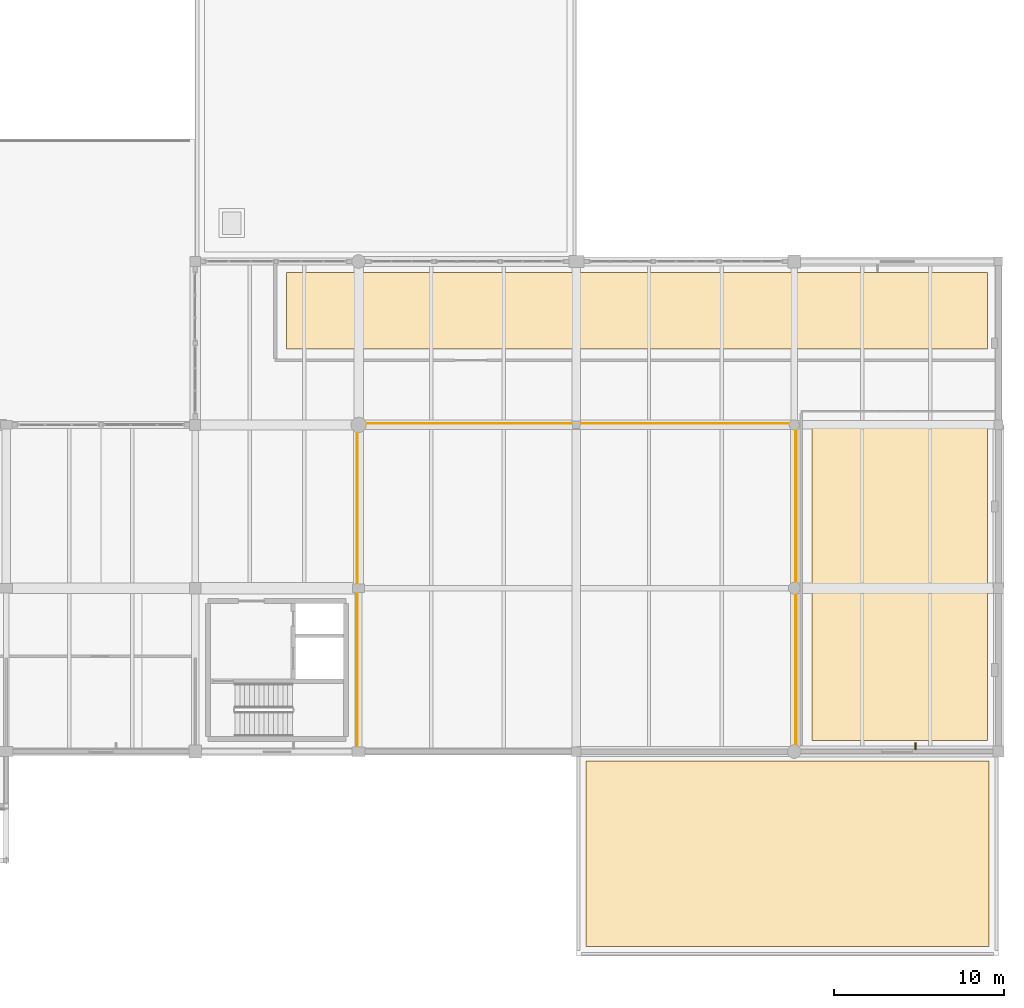
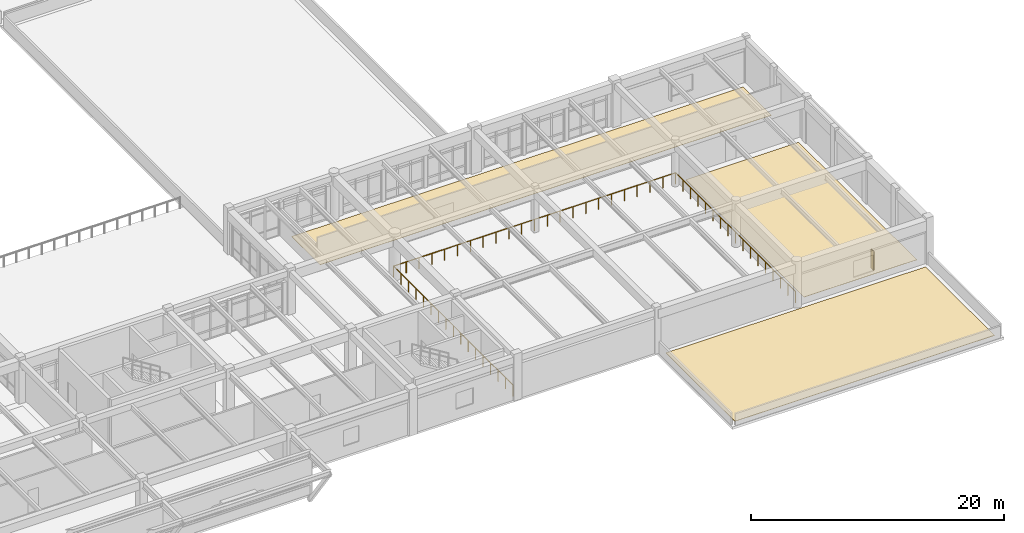
# One storey, part 108 of 109: 3 coverings, 3 railings, 1 shading device.
"""IFC4 building model written with IfcOpenShell, lengths in metres."""

import ifcopenshell
import ifcopenshell.guid

model = None  # the IFC model being written
_history = None  # IfcOwnerHistory: only IFC2X3 demands one
_inside = {}  # id of a spatial element -> (the spatial element, [elements in it])
_under = {}  # id of a project, library or spatial element -> (it, [spatial elements below it])
_declared = {}  # id of a project -> (the project, [libraries it declares])
_typed = {}  # id of a type object -> (the type object, [elements of that type])
_made_of = {}  # id of a material, layer set ... -> (it, [elements and type objects made of it])


def new_model(schema):
    """Start an empty IFC model of exactly this schema.

    Asked for "IFC4X3", IfcOpenShell would pick the latest addendum, in which some entities
    have other attributes; the version numbers below select the first issue.
    IFC2X3 requires an IfcOwnerHistory on every rooted entity: one is made here for all.
    """
    global model, _history
    if schema == "IFC4X3":
        model = ifcopenshell.file(schema_version=(4, 3, 0, 0))
    else:
        model = ifcopenshell.file(schema=schema)
    _inside.clear()
    _under.clear()
    _declared.clear()
    _typed.clear()
    _made_of.clear()
    _history = None
    if model.schema == "IFC2X3":
        org = make("IfcOrganization", Name="unknown")
        user = make(
            "IfcPersonAndOrganization",
            ThePerson=make("IfcPerson", FamilyName="unknown"),
            TheOrganization=org,
        )
        app = make(
            "IfcApplication",
            ApplicationDeveloper=org,
            Version="unknown",
            ApplicationFullName="unknown",
            ApplicationIdentifier="unknown",
        )
        _history = make(
            "IfcOwnerHistory",
            OwningUser=user,
            OwningApplication=app,
            ChangeAction="ADDED",
            CreationDate=0,
        )
    return model


def make(cls, **values):
    """One entity of the class cls with the attributes given. An attribute that is None is left unset."""
    return model.create_entity(
        cls, **{name: value for name, value in values.items() if value is not None}
    )


def rooted(cls, **values):
    """An entity with a GlobalId (a new one), such as an element, a storey or a relation."""
    return make(cls, GlobalId=ifcopenshell.guid.new(), OwnerHistory=_history, **values)


def si_unit(unit_type, name, prefix=None):
    """IfcSIUnit, for example si_unit("LENGTHUNIT", "METRE", prefix="MILLI")."""
    return make("IfcSIUnit", UnitType=unit_type, Prefix=prefix, Name=name)


def assignment(units):
    """IfcUnitAssignment: the units of a project."""
    return None if units is None else make("IfcUnitAssignment", Units=units)


def point(xyz):
    """IfcCartesianPoint."""
    return None if xyz is None else make("IfcCartesianPoint", Coordinates=xyz)


def direction(xyz):
    """IfcDirection."""
    return None if xyz is None else make("IfcDirection", DirectionRatios=xyz)


def frame(location, z_axis=None, x_axis=None):
    """IfcAxis2Placement3D, a coordinate frame: its origin and axes. An axis left out is left unset."""
    return make(
        "IfcAxis2Placement3D",
        Location=point(location),
        Axis=direction(z_axis),
        RefDirection=direction(x_axis),
    )


def frame_2d(location, x_axis=None):
    """IfcAxis2Placement2D, a coordinate frame in the plane: its origin and x axis."""
    return make(
        "IfcAxis2Placement2D", Location=point(location), RefDirection=direction(x_axis)
    )


def origin():
    """The frame at (0, 0, 0) with its axes left unset."""
    return frame((0.0, 0.0, 0.0))


def origin_2d():
    """The frame at (0, 0) in the plane with its x axis left unset."""
    return frame_2d((0.0, 0.0))


def place(relative_to, where):
    """IfcLocalPlacement: puts the frame where relative to a parent placement (None: the world)."""
    return make(
        "IfcLocalPlacement", PlacementRelTo=relative_to, RelativePlacement=where
    )


def context(
    kind, dimensions, precision=None, world=None, true_north=None, identifier=None
):
    """IfcGeometricRepresentationContext, for example the 3D "Model" context."""
    return make(
        "IfcGeometricRepresentationContext",
        ContextIdentifier=identifier,
        ContextType=kind,
        CoordinateSpaceDimension=dimensions,
        Precision=precision,
        WorldCoordinateSystem=world,
        TrueNorth=true_north,
    )


def subcontext(parent, identifier, kind, view, scale=None):
    """IfcGeometricRepresentationSubContext, for example "Body" below "Model"."""
    return make(
        "IfcGeometricRepresentationSubContext",
        ContextIdentifier=identifier,
        ContextType=kind,
        ParentContext=parent,
        TargetScale=scale,
        TargetView=view,
    )


def project(units=None, contexts=None):
    """IfcProject with its units and contexts."""
    return rooted(
        "IfcProject",
        Name="project",
        RepresentationContexts=contexts,
        UnitsInContext=assignment(units),
    )


def spatial(cls, under=None, at=None, **own):
    """A site, building, storey or space (cls), placed at a placement, below another one or the project."""
    s = rooted(cls, ObjectPlacement=at, **own)
    if under is not None:
        _under.setdefault(under.id(), (under, []))[1].append(s)
    return s


def polyline(points):
    """IfcPolyline through the points."""
    return make("IfcPolyline", Points=[point(p) for p in points])


def profile(cls, at=None, kind="AREA", **sizes):
    """A parametric profile (cls). Its sizes go by their IFC names, for example OverallWidth=200.0."""
    return make(cls, ProfileType=kind, Position=at, **sizes)


def rectangle(**sizes):
    """IfcRectangleProfileDef."""
    return profile("IfcRectangleProfileDef", **sizes)


def circle(**sizes):
    """IfcCircleProfileDef."""
    return profile("IfcCircleProfileDef", **sizes)


def outline(outer, holes=None, kind="AREA"):
    """IfcArbitraryClosedProfileDef: a profile drawn as a closed curve; with holes, ...WithVoids."""
    if holes is None:
        return make("IfcArbitraryClosedProfileDef", ProfileType=kind, OuterCurve=outer)
    return make(
        "IfcArbitraryProfileDefWithVoids",
        ProfileType=kind,
        OuterCurve=outer,
        InnerCurves=holes,
    )


def extrude(swept, where, along, depth):
    """IfcExtrudedAreaSolid: the profile swept, set in the frame where, extruded along a direction by depth."""
    return make(
        "IfcExtrudedAreaSolid",
        SweptArea=swept,
        Position=where,
        ExtrudedDirection=direction(along),
        Depth=depth,
    )


def shape(context_of_items, identifier, shape_type, items):
    """IfcShapeRepresentation: the items that make up one representation, for example the "Body"."""
    return make(
        "IfcShapeRepresentation",
        ContextOfItems=context_of_items,
        RepresentationIdentifier=identifier,
        RepresentationType=shape_type,
        Items=items,
    )


def material(Name=None, Category=None):
    """IfcMaterial."""
    return make("IfcMaterial", Name=Name, Category=Category)


def layer(
    of_material, thickness, ventilated=None, Name=None, Category=None, Priority=None
):
    """IfcMaterialLayer: one layer of a wall or slab, of a material (None: an air gap)."""
    return make(
        "IfcMaterialLayer",
        Material=of_material,
        LayerThickness=thickness,
        IsVentilated=ventilated,
        Name=Name,
        Category=Category,
        Priority=Priority,
    )


def layer_set(layers, Name=None):
    """IfcMaterialLayerSet."""
    return make("IfcMaterialLayerSet", MaterialLayers=layers, LayerSetName=Name)


def made_of(thing, what):
    """Note that an element or type object is made of a material, layer set ...; save() writes the relation."""
    if what is not None:
        _made_of.setdefault(what.id(), (what, []))[1].append(thing)
    return thing


def type_object(cls, material=None, **own):
    """A type object (cls), such as IfcWallType, which elements share."""
    return made_of(rooted(cls, **own), material)


def element(
    cls,
    number,
    at=None,
    inside=None,
    cuts=None,
    type_object=None,
    material=None,
    context=None,
    identifier="Body",
    shape_type=None,
    held_by="IfcProductDefinitionShape",
    body=None,
    shapes=None,
    **own,
):
    """One element of the class cls, such as IfcWall. Its Tag is "e" and its number.

    at: its placement. inside: the storey or other place that contains it. cuts: it is an
    opening in that element (IfcRelVoidsElement). A single representation is given by context,
    identifier, shape_type and body (its items); several are given by shapes. held_by: the class
    of the entity that holds the representations. save() writes the other relations.
    """
    e = rooted(cls, Tag="e%d" % number, ObjectPlacement=at, **own)
    if body is not None:
        shapes = [shape(context, identifier, shape_type, body)]
    if shapes is not None:
        e.Representation = make(held_by, Representations=shapes)
    if inside is not None:
        _inside.setdefault(inside.id(), (inside, []))[1].append(e)
    if cuts is not None:
        rooted(
            "IfcRelVoidsElement", RelatingBuildingElement=cuts, RelatedOpeningElement=e
        )
    if type_object is not None:
        _typed.setdefault(type_object.id(), (type_object, []))[1].append(e)
    return made_of(e, material)


def aggregate(whole, parts):
    """IfcRelAggregates: a whole, such as a stair, and the parts it consists of."""
    return rooted("IfcRelAggregates", RelatingObject=whole, RelatedObjects=parts)


def save(model, path):
    """Write the relations noted so far, then the file.

    IfcRelAggregates (storeys below a building ...), IfcRelContainedInSpatialStructure (elements
    in a storey), IfcRelDefinesByType, IfcRelAssociatesMaterial and IfcRelDeclares: one each for
    every whole, place, type object, material and project.
    """
    for whole, parts in _under.values():
        aggregate(whole, parts)
    for where, things in _inside.values():
        rooted(
            "IfcRelContainedInSpatialStructure",
            RelatedElements=things,
            RelatingStructure=where,
        )
    for kind, things in _typed.values():
        rooted("IfcRelDefinesByType", RelatedObjects=things, RelatingType=kind)
    for what, things in _made_of.values():
        rooted("IfcRelAssociatesMaterial", RelatedObjects=things, RelatingMaterial=what)
    for by, libraries in _declared.values():
        rooted("IfcRelDeclares", RelatingContext=by, RelatedDefinitions=libraries)
    model.write(path)


model = new_model("IFC4")

# Units and contexts
model_context = context("Model", 3, precision=1e-05, world=origin(), true_north=direction((0.0, 1.0)))
body_context = subcontext(model_context, "Body", "Model", "MODEL_VIEW")
ifc_project = project(units=[si_unit("LENGTHUNIT", "METRE"), si_unit("AREAUNIT", "SQUARE_METRE"), si_unit("VOLUMEUNIT", "CUBIC_METRE"), si_unit("PLANEANGLEUNIT", "RADIAN"), si_unit("MASSUNIT", "GRAM", prefix="KILO")], contexts=[model_context])

# Site, building, storey
site_placement = place(None, origin())
site = spatial("IfcSite", under=ifc_project, at=site_placement, CompositionType="ELEMENT")
building_placement = place(site_placement, origin())
building = spatial("IfcBuilding", under=site, at=building_placement, Name="Fikremerkos Civic Library", CompositionType="ELEMENT")
storey_placement = place(building_placement, frame((0.0, 0.0, 5.39990234375)))
storey = spatial("IfcBuildingStorey", under=building, at=storey_placement, Name="L01", CompositionType="ELEMENT", Elevation=5.39990234375)

# Covering
ifc_material_1 = material(Name="Polymer modified bitumen roofing")
ifc_layer_1 = layer(ifc_material_1, 0.034912109375, Name="Polymer modified bitumen roofing")
ifc_layer_set_1 = layer_set([ifc_layer_1], Name="Polymer modified bitumen roofing")
covering_type_1 = type_object("IfcCoveringType", Name="Insulated roof waterproofing membrane RFG-01", PredefinedType="ROOFING", material=ifc_layer_set_1)
covering_1_placement = place(storey_placement, origin())
element("IfcCovering", 1, at=covering_1_placement, inside=storey, type_object=covering_type_1, Name="Roof waterproofing membrane RFG-01 RF-L01-V3S", PredefinedType="ROOFING", context=body_context, shape_type="SweptSolid", body=[
    extrude(outline(polyline([(147.75, 0.550048828125), (171.449951171875, 0.550048828125), (171.449951171875, 11.449951171875), (147.75, 11.449951171875), (147.75, 0.550048828125)])), origin(), (0.0, 0.0, 1.0), 0.03515625),
])

# Railings
ifc_material_2 = material(Name="Painted Steel S275", Category="steel")
railing_type = type_object("IfcRailingType", Name="Interior balustrade guard RLG-INT 1100", PredefinedType="BALUSTRADE", material=ifc_material_2)
railing_1_placement = place(storey_placement, frame((134.320068359375, 12.35009765625, 0.0)))
element("IfcRailing", 2, at=railing_1_placement, inside=storey, type_object=railing_type, Name="Auditorium balcony balustrade guard L01 W", PredefinedType="BALUSTRADE", context=body_context, shape_type="SweptSolid", body=[
    extrude(circle(Radius=0.02392578125, at=origin_2d()), frame((0.0, 0.0, 1.076171875), z_axis=(0.0, 1.0, 0.0), x_axis=(-1.0, 0.0, 0.0)), (0.0, 0.0, 1.0), 18.929931640625),
    extrude(circle(Radius=0.02099609375, at=origin_2d()), origin(), (0.0, 0.0, 1.0), 1.052001953125),
    extrude(circle(Radius=0.02099609375, at=origin_2d()), frame((0.0, 1.18310546875, 0.0)), (0.0, 0.0, 1.0), 1.052001953125),
    extrude(circle(Radius=0.02099609375, at=origin_2d()), frame((0.0, 2.3662109375, 0.0)), (0.0, 0.0, 1.0), 1.052001953125),
    extrude(circle(Radius=0.02099609375, at=origin_2d()), frame((0.0, 3.54931640625, 0.0)), (0.0, 0.0, 1.0), 1.052001953125),
    extrude(circle(Radius=0.02099609375, at=origin_2d()), frame((0.0, 4.732421875, 0.0)), (0.0, 0.0, 1.0), 1.052001953125),
    extrude(circle(Radius=0.02099609375, at=origin_2d()), frame((0.0, 5.91552734375, 0.0)), (0.0, 0.0, 1.0), 1.052001953125),
    extrude(circle(Radius=0.02099609375, at=origin_2d()), frame((0.0, 7.0986328125, 0.0)), (0.0, 0.0, 1.0), 1.052001953125),
    extrude(circle(Radius=0.02099609375, at=origin_2d()), frame((0.0, 8.28173828125, 0.0)), (0.0, 0.0, 1.0), 1.052001953125),
    extrude(circle(Radius=0.02099609375, at=origin_2d()), frame((0.0, 9.46484375, 0.0)), (0.0, 0.0, 1.0), 1.052001953125),
    extrude(circle(Radius=0.02099609375, at=origin_2d()), frame((0.0, 10.648193359375, 0.0)), (0.0, 0.0, 1.0), 1.052001953125),
    extrude(circle(Radius=0.02099609375, at=origin_2d()), frame((0.0, 11.831298828125, 0.0)), (0.0, 0.0, 1.0), 1.052001953125),
    extrude(circle(Radius=0.02099609375, at=origin_2d()), frame((0.0, 13.014404296875, 0.0)), (0.0, 0.0, 1.0), 1.052001953125),
    extrude(circle(Radius=0.02099609375, at=origin_2d()), frame((0.0, 14.197509765625, 0.0)), (0.0, 0.0, 1.0), 1.052001953125),
    extrude(circle(Radius=0.02099609375, at=origin_2d()), frame((0.0, 15.380615234375, 0.0)), (0.0, 0.0, 1.0), 1.052001953125),
    extrude(circle(Radius=0.02099609375, at=origin_2d()), frame((0.0, 16.563720703125, 0.0)), (0.0, 0.0, 1.0), 1.052001953125),
    extrude(circle(Radius=0.02099609375, at=origin_2d()), frame((0.0, 17.746826171875, 0.0)), (0.0, 0.0, 1.0), 1.052001953125),
    extrude(circle(Radius=0.02099609375, at=origin_2d()), frame((0.0, 18.929931640625, 0.0)), (0.0, 0.0, 1.0), 1.052001953125),
])
railing_2_placement = place(storey_placement, frame((134.320068359375, 31.280029296875, 0.0)))
element("IfcRailing", 3, at=railing_2_placement, inside=storey, type_object=railing_type, Name="Auditorium balcony balustrade guard L01 N", PredefinedType="BALUSTRADE", context=body_context, shape_type="SweptSolid", body=[
    extrude(circle(Radius=0.02392578125, at=origin_2d()), frame((0.0, 0.0, 1.076171875), z_axis=(1.0, 0.0, 0.0), x_axis=(0.0, 1.0, 0.0)), (0.0, 0.0, 1.0), 25.760009765625),
    extrude(circle(Radius=0.02099609375, at=origin_2d()), origin(), (0.0, 0.0, 1.0), 1.052001953125),
    extrude(circle(Radius=0.02099609375, at=origin_2d()), frame((1.1708984375, 0.0, 0.0)), (0.0, 0.0, 1.0), 1.052001953125),
    extrude(circle(Radius=0.02099609375, at=origin_2d()), frame((2.341796875, 0.0, 0.0)), (0.0, 0.0, 1.0), 1.052001953125),
    extrude(circle(Radius=0.02099609375, at=origin_2d()), frame((3.5126953125, 0.0, 0.0)), (0.0, 0.0, 1.0), 1.052001953125),
    extrude(circle(Radius=0.02099609375, at=origin_2d()), frame((4.68359375, 0.0, 0.0)), (0.0, 0.0, 1.0), 1.052001953125),
    extrude(circle(Radius=0.02099609375, at=origin_2d()), frame((5.8544921875, 0.0, 0.0)), (0.0, 0.0, 1.0), 1.052001953125),
    extrude(circle(Radius=0.02099609375, at=origin_2d()), frame((7.025390625, 0.0, 0.0)), (0.0, 0.0, 1.0), 1.052001953125),
    extrude(circle(Radius=0.02099609375, at=origin_2d()), frame((8.1962890625, 0.0, 0.0)), (0.0, 0.0, 1.0), 1.052001953125),
    extrude(circle(Radius=0.02099609375, at=origin_2d()), frame((9.3671875, 0.0, 0.0)), (0.0, 0.0, 1.0), 1.052001953125),
    extrude(circle(Radius=0.02099609375, at=origin_2d()), frame((10.5380859375, 0.0, 0.0)), (0.0, 0.0, 1.0), 1.052001953125),
    extrude(circle(Radius=0.02099609375, at=origin_2d()), frame((11.708984375, 0.0, 0.0)), (0.0, 0.0, 1.0), 1.052001953125),
    extrude(circle(Radius=0.02099609375, at=origin_2d()), frame((12.8798828125, 0.0, 0.0)), (0.0, 0.0, 1.0), 1.052001953125),
    extrude(circle(Radius=0.02099609375, at=origin_2d()), frame((14.051025390625, 0.0, 0.0)), (0.0, 0.0, 1.0), 1.052001953125),
    extrude(circle(Radius=0.02099609375, at=origin_2d()), frame((15.221923828125, 0.0, 0.0)), (0.0, 0.0, 1.0), 1.052001953125),
    extrude(circle(Radius=0.02099609375, at=origin_2d()), frame((16.392822265625, 0.0, 0.0)), (0.0, 0.0, 1.0), 1.052001953125),
    extrude(circle(Radius=0.02099609375, at=origin_2d()), frame((17.563720703125, 0.0, 0.0)), (0.0, 0.0, 1.0), 1.052001953125),
    extrude(circle(Radius=0.02099609375, at=origin_2d()), frame((18.734619140625, 0.0, 0.0)), (0.0, 0.0, 1.0), 1.052001953125),
    extrude(circle(Radius=0.02099609375, at=origin_2d()), frame((19.905517578125, 0.0, 0.0)), (0.0, 0.0, 1.0), 1.052001953125),
    extrude(circle(Radius=0.02099609375, at=origin_2d()), frame((21.076416015625, 0.0, 0.0)), (0.0, 0.0, 1.0), 1.052001953125),
    extrude(circle(Radius=0.02099609375, at=origin_2d()), frame((22.247314453125, 0.0, 0.0)), (0.0, 0.0, 1.0), 1.052001953125),
    extrude(circle(Radius=0.02099609375, at=origin_2d()), frame((23.418212890625, 0.0, 0.0)), (0.0, 0.0, 1.0), 1.052001953125),
    extrude(circle(Radius=0.02099609375, at=origin_2d()), frame((24.589111328125, 0.0, 0.0)), (0.0, 0.0, 1.0), 1.052001953125),
    extrude(circle(Radius=0.02099609375, at=origin_2d()), frame((25.760009765625, 0.0, 0.0)), (0.0, 0.0, 1.0), 1.052001953125),
])
railing_3_placement = place(storey_placement, frame((160.080078125, 12.35009765625, 0.0)))
element("IfcRailing", 4, at=railing_3_placement, inside=storey, type_object=railing_type, Name="Auditorium balcony balustrade guard L01 E", PredefinedType="BALUSTRADE", context=body_context, shape_type="SweptSolid", body=[
    extrude(circle(Radius=0.02392578125, at=origin_2d()), frame((0.0, 0.0, 1.076171875), z_axis=(0.0, 1.0, 0.0), x_axis=(-1.0, 0.0, 0.0)), (0.0, 0.0, 1.0), 18.929931640625),
    extrude(circle(Radius=0.02099609375, at=origin_2d()), origin(), (0.0, 0.0, 1.0), 1.052001953125),
    extrude(circle(Radius=0.02099609375, at=origin_2d()), frame((0.0, 1.18310546875, 0.0)), (0.0, 0.0, 1.0), 1.052001953125),
    extrude(circle(Radius=0.02099609375, at=origin_2d()), frame((0.0, 2.3662109375, 0.0)), (0.0, 0.0, 1.0), 1.052001953125),
    extrude(circle(Radius=0.02099609375, at=origin_2d()), frame((0.0, 3.54931640625, 0.0)), (0.0, 0.0, 1.0), 1.052001953125),
    extrude(circle(Radius=0.02099609375, at=origin_2d()), frame((0.0, 4.732421875, 0.0)), (0.0, 0.0, 1.0), 1.052001953125),
    extrude(circle(Radius=0.02099609375, at=origin_2d()), frame((0.0, 5.91552734375, 0.0)), (0.0, 0.0, 1.0), 1.052001953125),
    extrude(circle(Radius=0.02099609375, at=origin_2d()), frame((0.0, 7.0986328125, 0.0)), (0.0, 0.0, 1.0), 1.052001953125),
    extrude(circle(Radius=0.02099609375, at=origin_2d()), frame((0.0, 8.28173828125, 0.0)), (0.0, 0.0, 1.0), 1.052001953125),
    extrude(circle(Radius=0.02099609375, at=origin_2d()), frame((0.0, 9.46484375, 0.0)), (0.0, 0.0, 1.0), 1.052001953125),
    extrude(circle(Radius=0.02099609375, at=origin_2d()), frame((0.0, 10.648193359375, 0.0)), (0.0, 0.0, 1.0), 1.052001953125),
    extrude(circle(Radius=0.02099609375, at=origin_2d()), frame((0.0, 11.831298828125, 0.0)), (0.0, 0.0, 1.0), 1.052001953125),
    extrude(circle(Radius=0.02099609375, at=origin_2d()), frame((0.0, 13.014404296875, 0.0)), (0.0, 0.0, 1.0), 1.052001953125),
    extrude(circle(Radius=0.02099609375, at=origin_2d()), frame((0.0, 14.197509765625, 0.0)), (0.0, 0.0, 1.0), 1.052001953125),
    extrude(circle(Radius=0.02099609375, at=origin_2d()), frame((0.0, 15.380615234375, 0.0)), (0.0, 0.0, 1.0), 1.052001953125),
    extrude(circle(Radius=0.02099609375, at=origin_2d()), frame((0.0, 16.563720703125, 0.0)), (0.0, 0.0, 1.0), 1.052001953125),
    extrude(circle(Radius=0.02099609375, at=origin_2d()), frame((0.0, 17.746826171875, 0.0)), (0.0, 0.0, 1.0), 1.052001953125),
    extrude(circle(Radius=0.02099609375, at=origin_2d()), frame((0.0, 18.929931640625, 0.0)), (0.0, 0.0, 1.0), 1.052001953125),
])

# Shading device
ifc_material_3 = material(Name="Bronze anodized aluminium", Category="aluminium")
shading_device_type = type_object("IfcShadingDeviceType", Name="Perforated bronze vertical solar fin SHD-02", PredefinedType="USERDEFINED", material=ifc_material_3)
shading_device_placement = place(storey_placement, frame((167.117431640625, 12.31005859375, 0.8251953125), z_axis=(0.0, 0.0, 1.0), x_axis=(1.0, 0.0, 0.0)))
element("IfcShadingDevice", 5, at=shading_device_placement, inside=storey, type_object=shading_device_type, Name="Vertical bronze solar fin SHD-02 L01 #20", ObjectType="SOLAR FIN", PredefinedType="USERDEFINED", context=body_context, shape_type="SweptSolid", body=[
    extrude(rectangle(XDim=0.080078125, YDim=0.39990234375, at=origin_2d()), origin(), (0.0, 0.0, 1.0), 1.800048828125),
])

# Coverings
ifc_material_4 = material(Name="Polished basalt terrazzo", Category="masonry")
ifc_layer_2 = layer(ifc_material_4, 0.030029296875, Name="Polished basalt terrazzo")
ifc_layer_set_2 = layer_set([ifc_layer_2], Name="Polished basalt terrazzo")
covering_type_2 = type_object("IfcCoveringType", Name="Polished basalt terrazzo flooring FLR-01", PredefinedType="FLOORING", material=ifc_layer_set_2)
covering_2_placement = place(storey_placement, origin())
element("IfcCovering", 6, at=covering_2_placement, inside=storey, type_object=covering_type_2, Name="Terrazzo floor finish Auditorium Upper Balcony Foyer", PredefinedType="FLOORING", context=body_context, shape_type="SweptSolid", body=[
    extrude(outline(polyline([(171.35009765625, 40.14990234375), (171.35009765625, 35.64990234375), (130.14990234375, 35.64990234375), (130.14990234375, 40.14990234375), (171.35009765625, 40.14990234375)])), origin(), (0.0, 0.0, 1.0), 0.030029296875),
])
covering_3_placement = place(storey_placement, origin())
element("IfcCovering", 7, at=covering_3_placement, inside=storey, type_object=covering_type_2, Name="Terrazzo floor finish Exhibition Gallery East", PredefinedType="FLOORING", context=body_context, shape_type="SweptSolid", body=[
    extrude(outline(polyline([(171.35009765625, 31.35009765625), (171.35009765625, 12.64990234375), (161.050048828125, 12.64990234375), (161.050048828125, 31.35009765625), (171.35009765625, 31.35009765625)])), origin(), (0.0, 0.0, 1.0), 0.030029296875),
])

save(model, "model.ifc")
